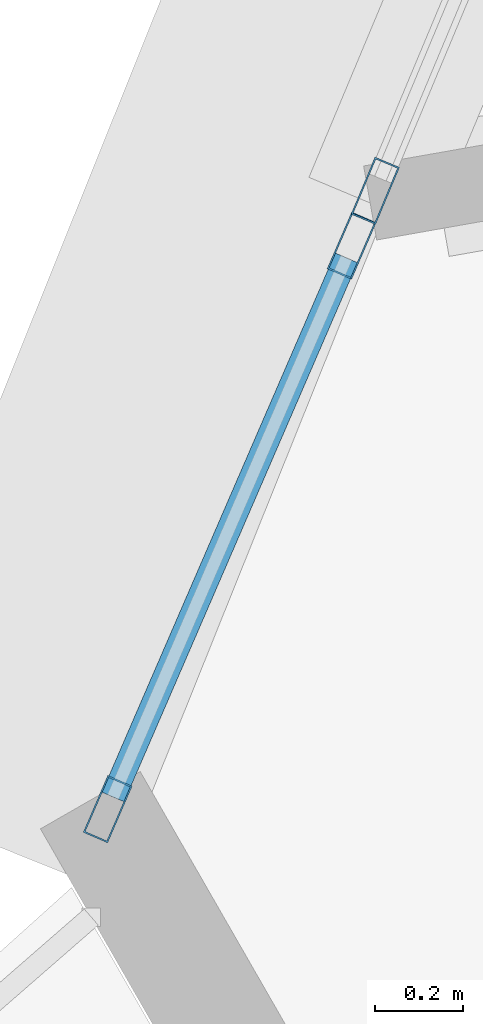
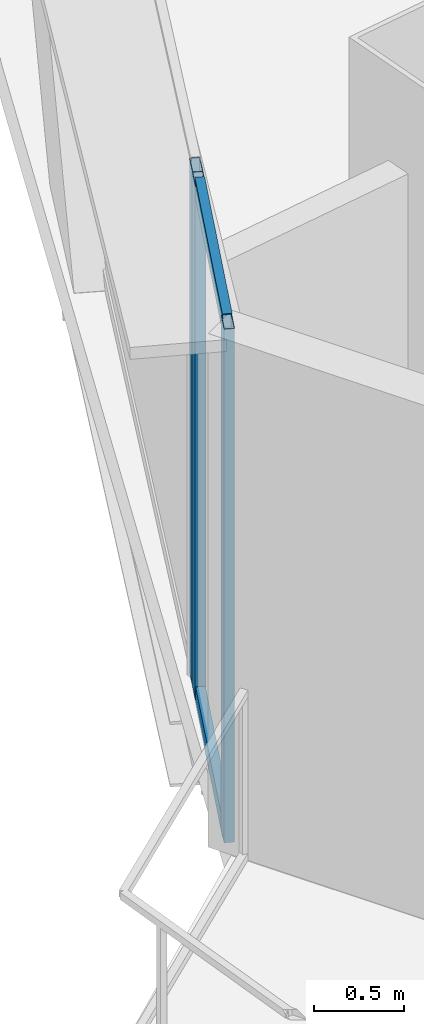
# One storey, part 4 of 37: 5 members, 2 elements without a shape of their own.
"""IFC4 building model written with IfcOpenShell, lengths in metres."""

from ifc_helpers import new_model, si_unit, direction, frame, origin, origin_2d, place, context, subcontext, project, spatial, hollow_rectangle, extrude, source, transform, mapped, material, layer, layer_set, material_profile, profile_set, type_object, element, aggregate, save


model = new_model("IFC4")

# Units and contexts
model_context = context("Model", 3, precision=1e-05, world=origin(), true_north=direction((0.0, 1.0)))
body_context = subcontext(model_context, "Body", "Model", "MODEL_VIEW")
ifc_project = project(units=[si_unit("LENGTHUNIT", "METRE"), si_unit("AREAUNIT", "SQUARE_METRE"), si_unit("VOLUMEUNIT", "CUBIC_METRE"), si_unit("PLANEANGLEUNIT", "RADIAN"), si_unit("MASSUNIT", "GRAM", prefix="KILO"), si_unit("THERMODYNAMICTEMPERATUREUNIT", "KELVIN"), si_unit("POWERUNIT", "WATT")], contexts=[model_context])

# Site, building, storey
site_placement = place(None, origin())
site = spatial("IfcSite", under=ifc_project, at=site_placement, CompositionType="ELEMENT")
building_placement = place(site_placement, origin())
building = spatial("IfcBuilding", under=site, at=building_placement, Name="Yunzhuo Pagoda Commons", CompositionType="ELEMENT")
storey_placement = place(building_placement, frame((0.0, 0.0, 259.449951171875)))
storey = spatial("IfcBuildingStorey", under=building, at=storey_placement, Name="L65", CompositionType="ELEMENT", Elevation=259.449951171875)

# Curtain wall, member
ifc_material = material(Name="Anodized aluminium 6063-T6", Category="aluminium")
ifc_layer = layer(ifc_material, 0.139892578125)
ifc_layer_set = layer_set([ifc_layer], Name="Anodized aluminium 6063-T6")
curtain_wall_type = type_object("IfcCurtainWallType", Name="CW-HI High-Zone Ribbon Curtain Wall", PredefinedType="NOTDEFINED", material=ifc_layer_set)
curtain_wall_1_placement = place(storey_placement, origin())
curtain_wall_1 = element("IfcCurtainWall", 1, at=curtain_wall_1_placement, inside=storey, type_object=curtain_wall_type, Name="L65 curtain wall CW-L65-F3B4", PredefinedType="NOTDEFINED")
ifc_material_profile_1 = material_profile(ifc_material, hollow_rectangle(XDim=0.06005859375, YDim=0.139892578125, WallThickness=0.00341796875, at=origin_2d()), Name="Anodized aluminium 6063-T6")
ifc_profile_set_1 = profile_set([ifc_material_profile_1], Name="Anodized aluminium 6063-T6")
member_type_1 = type_object("IfcMemberType", Name="CW-HI-M Mullion RHS 140x60x3.5", PredefinedType="MULLION", material=ifc_profile_set_1)
shared_shape_1 = source(origin(), body_context, "Body", "SweptSolid", [
    extrude(hollow_rectangle(XDim=0.06005859375, YDim=0.139892578125, WallThickness=0.00341796875, at=origin_2d()), origin(), (0.0, 0.0, 1.0), 3.469970703125),
])
member_1_placement = place(storey_placement, frame((14.2255859375, 27.770263671875, 0.0), z_axis=(0.0, 0.0, 1.0), x_axis=(0.922450521644, -0.38611531324, 0.0)))
member_1 = element("IfcMember", 2, at=member_1_placement, type_object=member_type_1, Name="CW mullion 2", PredefinedType="MULLION", context=body_context, shape_type="MappedRepresentation", body=[
    mapped(shared_shape_1, transform((0.0, 0.0, 0.0), scale=1.0)),
])
aggregate(curtain_wall_1, [member_1])

# Curtain wall, members
curtain_wall_2_placement = place(storey_placement, origin())
curtain_wall_2 = element("IfcCurtainWall", 3, at=curtain_wall_2_placement, inside=storey, type_object=curtain_wall_type, Name="L65 curtain wall CW-L65-F3B5", PredefinedType="NOTDEFINED")
member_2_placement = place(storey_placement, frame((14.172119140625, 27.646240234375, 0.0), z_axis=(0.0, 0.0, 1.0), x_axis=(0.917707471295, -0.397256840254, 0.0)))
member_2 = element("IfcMember", 4, at=member_2_placement, type_object=member_type_1, Name="CW mullion 1", PredefinedType="MULLION", context=body_context, shape_type="MappedRepresentation", body=[
    mapped(shared_shape_1, transform((0.0, 0.0, 0.0), scale=1.0)),
])
member_3_placement = place(storey_placement, frame((13.620361328125, 26.37158203125, 0.0), z_axis=(0.0, 0.0, 1.0), x_axis=(0.917707471295, -0.397256840254, 0.0)))
member_3 = element("IfcMember", 5, at=member_3_placement, type_object=member_type_1, Name="CW mullion 2", PredefinedType="MULLION", context=body_context, shape_type="MappedRepresentation", body=[
    mapped(shared_shape_1, transform((0.0, 0.0, 0.0), scale=1.0)),
])
ifc_material_profile_2 = material_profile(ifc_material, hollow_rectangle(XDim=0.054931640625, YDim=0.1201171875, WallThickness=0.00341796875, at=origin_2d()), Name="Anodized aluminium 6063-T6")
ifc_profile_set_2 = profile_set([ifc_material_profile_2], Name="Anodized aluminium 6063-T6")
member_type_2 = type_object("IfcMemberType", Name="CW-HI-T Transom RHS 120x55x3.5", PredefinedType="USERDEFINED", material=ifc_profile_set_2)
shared_shape_2 = source(origin(), body_context, "Body", "SweptSolid", [
    extrude(hollow_rectangle(XDim=0.054931640625, YDim=0.1201171875, WallThickness=0.00341796875, at=origin_2d()), origin(), (0.0, 0.0, 1.0), 1.328857421875),
])
member_4_placement = place(storey_placement, frame((14.16015625, 27.61865234375, 0.027587890625), z_axis=(-0.39722069625, -0.917723116452, 0.0), x_axis=(0.917723116452, -0.39722069625, 0.0)))
member_4 = element("IfcMember", 6, at=member_4_placement, type_object=member_type_2, Name="CW transom 1.1", ObjectType="TRANSOM", PredefinedType="USERDEFINED", context=body_context, shape_type="MappedRepresentation", body=[
    mapped(shared_shape_2, transform((0.0, 0.0, 0.0), scale=1.0)),
])
member_5_placement = place(storey_placement, frame((14.16015625, 27.61865234375, 3.442626953125), z_axis=(-0.39722069625, -0.917723116452, 0.0), x_axis=(0.917723116452, -0.39722069625, 0.0)))
member_5 = element("IfcMember", 7, at=member_5_placement, type_object=member_type_2, Name="CW transom 1.2", ObjectType="TRANSOM", PredefinedType="USERDEFINED", context=body_context, shape_type="MappedRepresentation", body=[
    mapped(shared_shape_2, transform((0.0, 0.0, 0.0), scale=1.0)),
])
aggregate(curtain_wall_2, [member_2, member_3, member_4, member_5])

save(model, "model.ifc")
